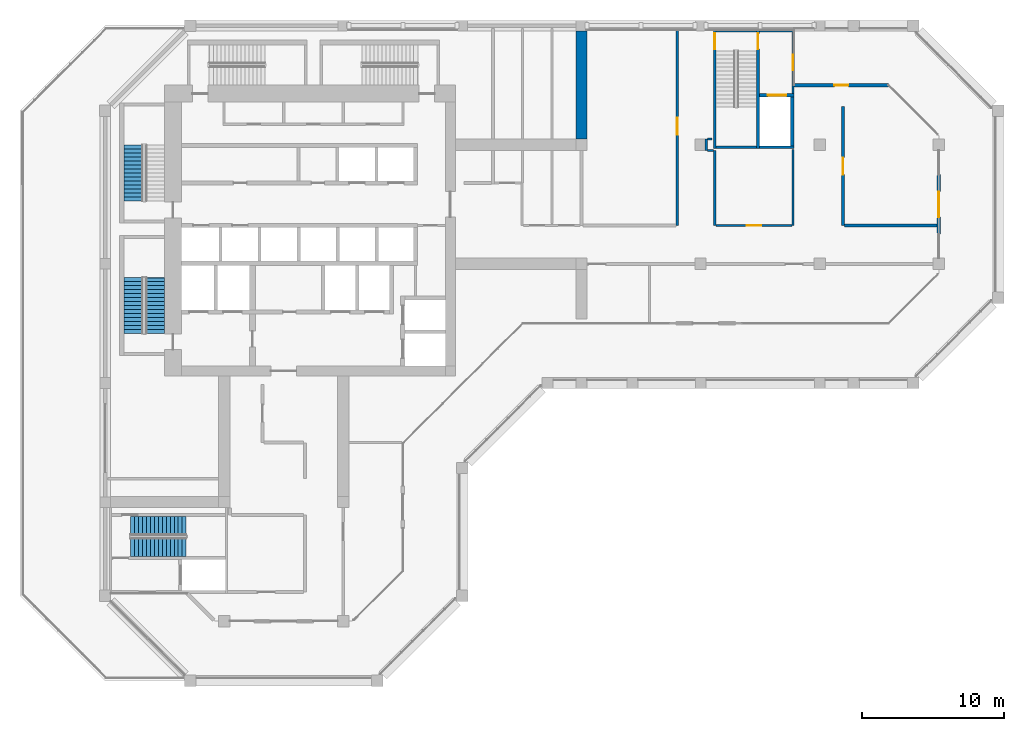
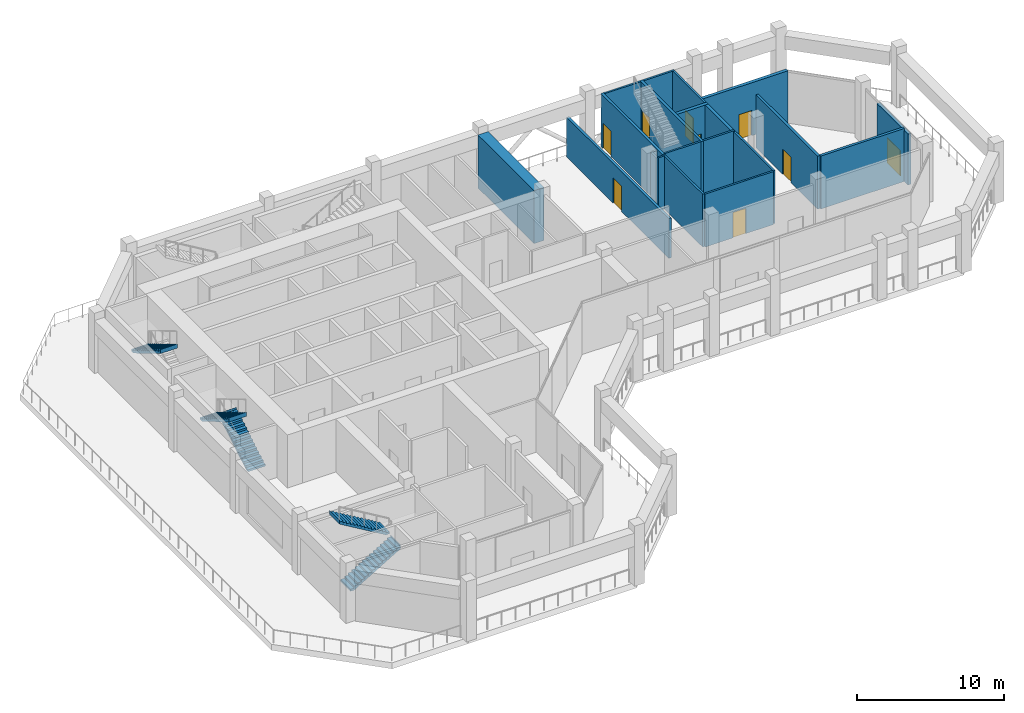
# One storey, part 9 of 16: 21 walls, 9 doors, 5 stair flights, 9 openings, 3 elements without a shape of their own.
"""IFC4 building model written with IfcOpenShell, lengths in metres."""

from ifc_helpers import new_model, si_unit, direction, frame, frame_2d, origin, place, context, subcontext, project, spatial, polyline, rectangle, outline, extrude, material, layer, layer_set, type_object, element, fill, aggregate, save


model = new_model("IFC4")

# Units and contexts
model_context = context("Model", 3, precision=1e-05, world=origin(), true_north=direction((0.0, 1.0)))
body_context = subcontext(model_context, "Body", "Model", "MODEL_VIEW")
ifc_project = project(units=[si_unit("LENGTHUNIT", "METRE"), si_unit("AREAUNIT", "SQUARE_METRE"), si_unit("VOLUMEUNIT", "CUBIC_METRE"), si_unit("PLANEANGLEUNIT", "RADIAN"), si_unit("MASSUNIT", "GRAM", prefix="KILO")], contexts=[model_context])

# Site, building, storey
site_placement = place(None, origin())
site = spatial("IfcSite", under=ifc_project, at=site_placement, CompositionType="ELEMENT")
building_placement = place(site_placement, origin())
building = spatial("IfcBuilding", under=site, at=building_placement, Name="Kawkab Arch Medical Tower", CompositionType="ELEMENT")
storey_placement = place(building_placement, frame((0.0, 0.0, 272.60009765625)))
storey = spatial("IfcBuildingStorey", under=building, at=storey_placement, Name="L63", CompositionType="ELEMENT", Elevation=272.60009765625)

# Wall
ifc_material_1 = material(Name="Concrete C40/50", Category="concrete")
ifc_layer_1 = layer(ifc_material_1, 0.800048828125)
ifc_layer_set_1 = layer_set([ifc_layer_1], Name="Concrete C40/50")
wall_type_1 = type_object("IfcWallType", Name="Belt wall 800 C40/50", PredefinedType="SHEAR", material=ifc_layer_set_1)
wall_1_placement = place(storey_placement, frame((33.60009765625, -0.375, 0.0), z_axis=(0.0, 0.0, 1.0), x_axis=(0.0, -1.0, 0.0)))
element("IfcWall", 1, at=wall_1_placement, inside=storey, type_object=wall_type_1, Name="Belt wall BW-L63-3", PredefinedType="SHEAR", context=body_context, shape_type="SweptSolid", body=[
    extrude(rectangle(XDim=7.625, YDim=0.800048828125, at=frame_2d((3.8125, 0.0))), origin(), (0.0, 0.0, 1.0), 4.39990234375),
])

# Wall, opening, door
ifc_material_2 = material(Name="Gypsum board on steel studs", Category="steel")
ifc_layer_2 = layer(ifc_material_2, 0.14990234375)
ifc_layer_set_2 = layer_set([ifc_layer_2], Name="Gypsum board on steel studs")
wall_type_2 = type_object("IfcWallType", Name="Core room partition 150", PredefinedType="PARTITIONING", material=ifc_layer_set_2)
wall_2_placement = place(storey_placement, frame((48.52490234375, -4.77490234375, 0.0), z_axis=(0.0, 0.0, 1.0), x_axis=(0.0, 1.0, 0.0)))
wall_2 = element("IfcWall", 2, at=wall_2_placement, inside=storey, type_object=wall_type_2, Name="L63 core room partition", PredefinedType="PARTITIONING", context=body_context, shape_type="SweptSolid", body=[
    extrude(rectangle(XDim=4.324951171875, YDim=0.14990234375, at=frame_2d((2.16259765625, 0.0))), origin(), (0.0, 0.0, 1.0), 4.39990234375),
])
opening_1_placement = place(wall_2_placement, frame((1.625, 0.0, 0.0)))
opening_1 = element("IfcOpeningElement", 3, at=opening_1_placement, cuts=wall_2, Name="Opening FD", PredefinedType="OPENING", context=body_context, shape_type="SweptSolid", body=[
    extrude(rectangle(XDim=1.10009765625, YDim=2.10009765625, at=frame_2d((0.550048828125, 1.050048828125))), frame((0.0, 0.0849609375, 0.0), z_axis=(0.0, -1.0, 0.0), x_axis=(1.0, 0.0, 0.0)), (0.0, 0.0, 1.0), 0.169921875),
])
ifc_material_3 = material(Name="Hollow metal fire door leaf")
door_type_1 = type_object("IfcDoorType", Name="Firefighting lobby door 1100", OperationType="SINGLE_SWING_LEFT", PredefinedType="DOOR", material=ifc_material_3)
door_1_placement = place(opening_1_placement, origin())
door_1 = element("IfcDoor", 4, at=door_1_placement, inside=storey, type_object=door_type_1, Name="L63 Service lift lobby door SV1", OperationType="SINGLE_SWING_LEFT", OverallHeight=2.10009765625, OverallWidth=1.10009765625, PredefinedType="DOOR", context=body_context, shape_type="SweptSolid", body=[
    extrude(rectangle(XDim=1.10009765625, YDim=2.10009765625, at=frame_2d((0.550048828125, 1.050048828125))), frame((0.0, 0.02490234375, 0.0), z_axis=(0.0, -1.0, 0.0), x_axis=(1.0, 0.0, 0.0)), (0.0, 0.0, 1.0), 0.050048828125),
])
fill(opening_1, door_1)

ifc_material_4 = material(Name="Concrete C60/75", Category="concrete")
ifc_layer_3 = layer(ifc_material_4, 0.25)
ifc_layer_set_3 = layer_set([ifc_layer_3], Name="Concrete C60/75")
wall_type_3 = type_object("IfcWallType", Name="Core shear wall 250 C60/75", PredefinedType="SHEAR", material=ifc_layer_set_3)
wall_3_placement = place(storey_placement, frame((46.14990234375, -4.89990234375, 0.0), z_axis=(0.0, 0.0, 1.0), x_axis=(1.0, 0.0, 0.0)))
wall_3 = element("IfcWall", 5, at=wall_3_placement, inside=storey, type_object=wall_type_3, Name="L63 core shear wall", PredefinedType="SHEAR", context=body_context, shape_type="SweptSolid", body=[
    extrude(rectangle(XDim=2.4501953125, YDim=0.25, at=frame_2d((1.22509765625, 0.0))), origin(), (0.0, 0.0, 1.0), 4.39990234375),
])
opening_2_placement = place(wall_3_placement, frame((0.60009765625, 0.0, 0.0)))
opening_2 = element("IfcOpeningElement", 6, at=opening_2_placement, cuts=wall_3, Name="Opening LD2", PredefinedType="OPENING", context=body_context, shape_type="SweptSolid", body=[
    extrude(rectangle(XDim=1.300048828125, YDim=2.10009765625, at=frame_2d((0.64990234375, 1.050048828125))), frame((0.0, 0.135009765625, 0.0), z_axis=(0.0, -1.0, 0.0), x_axis=(1.0, 0.0, 0.0)), (0.0, 0.0, 1.0), 0.27001953125),
])
ifc_material_5 = material(Name="Stainless steel lift door leaf", Category="steel")
door_type_2 = type_object("IfcDoorType", Name="Lift landing door 1300", OperationType="DOUBLE_DOOR_SLIDING", PredefinedType="DOOR", material=ifc_material_5)
door_2_placement = place(opening_2_placement, origin())
door_2 = element("IfcDoor", 7, at=door_2_placement, inside=storey, type_object=door_type_2, Name="L63 Lift landing door SV1", OperationType="DOUBLE_DOOR_SLIDING", OverallHeight=2.10009765625, OverallWidth=1.300048828125, PredefinedType="DOOR", context=body_context, shape_type="SweptSolid", body=[
    extrude(rectangle(XDim=1.300048828125, YDim=2.10009765625, at=frame_2d((0.64990234375, 1.050048828125))), frame((0.0, 0.02490234375, 0.0), z_axis=(0.0, -1.0, 0.0), x_axis=(1.0, 0.0, 0.0)), (0.0, 0.0, 1.0), 0.050048828125),
])
fill(opening_2, door_2)

# Wall
wall_4_placement = place(storey_placement, frame((48.47509765625, -8.5, 0.0), z_axis=(0.0, 0.0, 1.0), x_axis=(0.0, 1.0, 0.0)))
element("IfcWall", 8, at=wall_4_placement, inside=storey, type_object=wall_type_3, Name="L63 core shear wall", PredefinedType="SHEAR", context=body_context, shape_type="SweptSolid", body=[
    extrude(rectangle(XDim=3.47509765625, YDim=0.25, at=frame_2d((1.737548828125, 0.0))), origin(), (0.0, 0.0, 1.0), 4.39990234375),
])

# Wall, opening, door
ifc_material_6 = material(Name="Bronze clad insulated wall panel")
ifc_layer_4 = layer(ifc_material_6, 0.25)
ifc_layer_set_4 = layer_set([ifc_layer_4], Name="Bronze clad insulated wall panel")
wall_type_4 = type_object("IfcWallType", Name="External wall bay 250", PredefinedType="SOLIDWALL", material=ifc_layer_set_4)
wall_5_placement = place(storey_placement, frame((58.800048828125, -14.699951171875, 0.0), z_axis=(0.0, 0.0, 1.0), x_axis=(0.0, 1.0, 0.0)))
wall_5 = element("IfcWall", 9, at=wall_5_placement, inside=storey, type_object=wall_type_4, Name="External wall bay L63.R15.1.2", PredefinedType="SOLIDWALL", context=body_context, shape_type="SweptSolid", body=[
    extrude(rectangle(XDim=4.199951171875, YDim=0.25, at=frame_2d((2.10009765625, 0.0))), origin(), (0.0, 0.0, 1.0), 4.239990234375),
])
opening_3_placement = place(wall_5_placement, frame((1.199951171875, 0.0, 0.0)))
opening_3 = element("IfcOpeningElement", 10, at=opening_3_placement, cuts=wall_5, Name="Opening PL3-701", PredefinedType="OPENING", context=body_context, shape_type="SweptSolid", body=[
    extrude(rectangle(XDim=1.800048828125, YDim=2.10009765625, at=frame_2d((0.89990234375, 1.050048828125))), frame((0.0, 0.135009765625, 0.0), z_axis=(0.0, -1.0, 0.0), x_axis=(1.0, 0.0, 0.0)), (0.0, 0.0, 1.0), 0.27001953125),
])
ifc_material_7 = material(Name="Bronze anodised aluminium door with tinted glass", Category="aluminium")
door_type_3 = type_object("IfcDoorType", Name="Double external door 1800 x 2100", OperationType="DOUBLE_DOOR_SINGLE_SWING", PredefinedType="DOOR", material=ifc_material_7)
door_3_placement = place(opening_3_placement, origin())
door_3 = element("IfcDoor", 11, at=door_3_placement, inside=storey, type_object=door_type_3, Name="External door L63.R15.1.2", OperationType="DOUBLE_DOOR_SINGLE_SWING", OverallHeight=2.10009765625, OverallWidth=1.800048828125, PredefinedType="DOOR", context=body_context, shape_type="SweptSolid", body=[
    extrude(rectangle(XDim=1.800048828125, YDim=2.10009765625, at=frame_2d((0.89990234375, 1.050048828125))), frame((0.0, 0.02490234375, 0.0), z_axis=(0.0, -1.0, 0.0), x_axis=(1.0, 0.0, 0.0)), (0.0, 0.0, 1.0), 0.050048828125),
])
fill(opening_3, door_3)

wall_6_placement = place(storey_placement, frame((55.260009765625, -4.199951171875, 0.0), z_axis=(0.0, 0.0, 1.0), x_axis=(-1.0, 0.0, 0.0)))
wall_6 = element("IfcWall", 12, at=wall_6_placement, inside=storey, type_object=wall_type_4, Name="Plant wall L63.R17.1", PredefinedType="SOLIDWALL", context=body_context, shape_type="SweptSolid", body=[
    extrude(rectangle(XDim=6.658935546875, YDim=0.25, at=frame_2d((3.32958984375, 0.0))), origin(), (0.0, 0.0, 1.0), 4.39990234375),
])
opening_4_placement = place(wall_6_placement, frame((2.830078125, 0.0, 0.0)))
opening_4 = element("IfcOpeningElement", 13, at=opening_4_placement, cuts=wall_6, Name="Opening PL3-702", PredefinedType="OPENING", context=body_context, shape_type="SweptSolid", body=[
    extrude(rectangle(XDim=1.0, YDim=2.10009765625, at=frame_2d((0.5, 1.050048828125))), frame((0.0, 0.135009765625, 0.0), z_axis=(0.0, -1.0, 0.0), x_axis=(1.0, 0.0, 0.0)), (0.0, 0.0, 1.0), 0.27001953125),
])
ifc_material_8 = material(Name="Bronze anodised aluminium door with tinted glass", Category="aluminium")
door_type_4 = type_object("IfcDoorType", Name="Single external door 1000 x 2100", OperationType="SINGLE_SWING_LEFT", PredefinedType="DOOR", material=ifc_material_8)
door_4_placement = place(opening_4_placement, origin())
door_4 = element("IfcDoor", 14, at=door_4_placement, inside=storey, type_object=door_type_4, Name="Roof terrace door L63.R17.1", OperationType="SINGLE_SWING_LEFT", OverallHeight=2.10009765625, OverallWidth=1.0, PredefinedType="DOOR", context=body_context, shape_type="SweptSolid", body=[
    extrude(rectangle(XDim=1.0, YDim=2.10009765625, at=frame_2d((0.5, 1.050048828125))), frame((0.0, 0.02490234375, 0.0), z_axis=(0.0, -1.0, 0.0), x_axis=(1.0, 0.0, 0.0)), (0.0, 0.0, 1.0), 0.050048828125),
])
fill(opening_4, door_4)

ifc_material_9 = material(Name="Gypsum board partition on steel studs, mineral wool", Category="steel")
ifc_layer_5 = layer(ifc_material_9, 0.14990234375)
ifc_layer_set_5 = layer_set([ifc_layer_5], Name="Gypsum board partition on steel studs, mineral wool")
wall_type_5 = type_object("IfcWallType", Name="Partition 150", PredefinedType="PARTITIONING", material=ifc_layer_set_5)
wall_7_placement = place(storey_placement, frame((43.076904296875, -14.10009765625, 0.0), z_axis=(0.0, 0.0, 1.0), x_axis=(1.0, 0.0, 0.0)))
wall_7 = element("IfcWall", 15, at=wall_7_placement, inside=storey, type_object=wall_type_5, Name="Partition 150 w003", PredefinedType="PARTITIONING", context=body_context, shape_type="SweptSolid", body=[
    extrude(rectangle(XDim=5.37109375, YDim=0.14990234375, at=frame_2d((2.685546875, 0.0))), origin(), (0.0, 0.0, 1.0), 4.39990234375),
])
opening_5_placement = place(wall_7_placement, frame((2.18603515625, 0.0, 0.0)))
opening_5 = element("IfcOpeningElement", 16, at=opening_5_placement, cuts=wall_7, Name="Opening PL3-001", PredefinedType="OPENING", context=body_context, shape_type="SweptSolid", body=[
    extrude(rectangle(XDim=1.0, YDim=2.10009765625, at=frame_2d((0.5, 1.050048828125))), frame((0.0, 0.0849609375, 0.0), z_axis=(0.0, -1.0, 0.0), x_axis=(1.0, 0.0, 0.0)), (0.0, 0.0, 1.0), 0.169921875),
])
ifc_material_10 = material(Name="Hollow metal door leaf")
door_type_5 = type_object("IfcDoorType", Name="Single door 1000x2100 FD30S", OperationType="NOTDEFINED", PredefinedType="DOOR", material=ifc_material_10)
door_5_placement = place(opening_5_placement, origin())
door_5 = element("IfcDoor", 17, at=door_5_placement, inside=storey, type_object=door_type_5, Name="Door PL3-001", OperationType="SINGLE_SWING_RIGHT", OverallHeight=2.10009765625, OverallWidth=1.0, PredefinedType="DOOR", context=body_context, shape_type="SweptSolid", body=[
    extrude(rectangle(XDim=1.0, YDim=2.10009765625, at=frame_2d((0.5, 1.050048828125))), frame((0.0, 0.02490234375, 0.0), z_axis=(0.0, -1.0, 0.0), x_axis=(1.0, 0.0, 0.0)), (0.0, 0.0, 1.0), 0.050048828125),
])
fill(opening_5, door_5)

# Walls
wall_8_placement = place(storey_placement, frame((42.47802734375, -8.800048828125, 0.0), z_axis=(0.0, 0.0, 1.0), x_axis=(1.0, 0.0, 0.0)))
element("IfcWall", 18, at=wall_8_placement, inside=storey, type_object=wall_type_5, Name="Partition 150 w005", PredefinedType="PARTITIONING", context=body_context, shape_type="SweptSolid", body=[
    extrude(rectangle(XDim=0.447021484375, YDim=0.14990234375, at=frame_2d((0.2236328125, 0.0))), origin(), (0.0, 0.0, 1.0), 4.39990234375),
])
wall_9_placement = place(storey_placement, frame((42.47705078125, -8.0, 0.0), z_axis=(0.0, 0.0, 1.0), x_axis=(1.0, 0.0, 0.0)))
element("IfcWall", 19, at=wall_9_placement, inside=storey, type_object=wall_type_5, Name="Partition 150 w006", PredefinedType="PARTITIONING", context=body_context, shape_type="SweptSolid", body=[
    extrude(rectangle(XDim=0.343017578125, YDim=0.14990234375, at=frame_2d((0.17138671875, 0.0))), origin(), (0.0, 0.0, 1.0), 4.39990234375),
])
wall_10_placement = place(storey_placement, frame((42.39990234375, -8.797119140625, 0.0), z_axis=(0.0, 0.0, 1.0), x_axis=(0.0, 1.0, 0.0)))
element("IfcWall", 20, at=wall_10_placement, inside=storey, type_object=wall_type_5, Name="Partition 150 w013", PredefinedType="PARTITIONING", context=body_context, shape_type="SweptSolid", body=[
    extrude(rectangle(XDim=0.796142578125, YDim=0.14990234375, at=frame_2d((0.39794921875, 0.0))), origin(), (0.0, 0.0, 1.0), 4.39990234375),
])
wall_11_placement = place(storey_placement, frame((43.0, -14.096923828125, 0.0), z_axis=(0.0, 0.0, 1.0), x_axis=(0.0, 1.0, 0.0)))
element("IfcWall", 21, at=wall_11_placement, inside=storey, type_object=wall_type_5, Name="Partition 150 w014", PredefinedType="PARTITIONING", context=body_context, shape_type="SweptSolid", body=[
    extrude(rectangle(XDim=5.296875, YDim=0.14990234375, at=frame_2d((2.6484375, 0.0))), origin(), (0.0, 0.0, 1.0), 4.39990234375),
])
wall_12_placement = place(storey_placement, frame((48.52490234375, -14.097900390625, 0.0), z_axis=(0.0, 0.0, 1.0), x_axis=(0.0, 1.0, 0.0)))
element("IfcWall", 22, at=wall_12_placement, inside=storey, type_object=wall_type_5, Name="Partition 150 w015", PredefinedType="PARTITIONING", context=body_context, shape_type="SweptSolid", body=[
    extrude(rectangle(XDim=5.367919921875, YDim=0.14990234375, at=frame_2d((2.68408203125, 0.0))), origin(), (0.0, 0.0, 1.0), 4.39990234375),
])
ifc_material_11 = material(Name="Fire-rated gypsum board partition on steel studs", Category="steel")
ifc_layer_6 = layer(ifc_material_11, 0.199951171875)
ifc_layer_set_6 = layer_set([ifc_layer_6], Name="Fire-rated gypsum board partition on steel studs")
wall_type_6 = type_object("IfcWallType", Name="Protected partition 200", PredefinedType="PARTITIONING", material=ifc_layer_set_6)
wall_13_placement = place(storey_placement, frame((52.14501953125, -14.10009765625, 0.0), z_axis=(0.0, 0.0, 1.0), x_axis=(1.0, 0.0, 0.0)))
element("IfcWall", 23, at=wall_13_placement, inside=storey, type_object=wall_type_6, Name="Protected partition 200 w022", PredefinedType="PARTITIONING", context=body_context, shape_type="SweptSolid", body=[
    extrude(rectangle(XDim=6.574951171875, YDim=0.199951171875, at=frame_2d((3.28759765625, 0.0))), origin(), (0.0, 0.0, 1.0), 4.39990234375),
])

# Wall, opening, door
wall_14_placement = place(storey_placement, frame((40.35693359375, -14.097900390625, 0.0), z_axis=(0.0, 0.0, 1.0), x_axis=(0.0, 1.0, 0.0)))
wall_14 = element("IfcWall", 24, at=wall_14_placement, inside=storey, type_object=wall_type_6, Name="Protected partition 200 w032", PredefinedType="PARTITIONING", context=body_context, shape_type="SweptSolid", body=[
    extrude(rectangle(XDim=13.89794921875, YDim=0.199951171875, at=frame_2d((6.948974609375, 0.0))), origin(), (0.0, 0.0, 1.0), 3.2998046875),
])
opening_6_placement = place(wall_14_placement, frame((6.39794921875, 0.0, 0.0)))
opening_6 = element("IfcOpeningElement", 25, at=opening_6_placement, cuts=wall_14, Name="Opening PL3-005", PredefinedType="OPENING", context=body_context, shape_type="SweptSolid", body=[
    extrude(rectangle(XDim=1.199951171875, YDim=2.10009765625, at=frame_2d((0.60009765625, 1.050048828125))), frame((0.0, 0.10986328125, 0.0), z_axis=(0.0, -1.0, 0.0), x_axis=(1.0, 0.0, 0.0)), (0.0, 0.0, 1.0), 0.219970703125),
])
ifc_material_12 = material(Name="Hollow metal door leaf")
door_type_6 = type_object("IfcDoorType", Name="Single door 1200x2100 FD60", OperationType="NOTDEFINED", PredefinedType="DOOR", material=ifc_material_12)
door_6_placement = place(opening_6_placement, origin())
door_6 = element("IfcDoor", 26, at=door_6_placement, inside=storey, type_object=door_type_6, Name="Door PL3-005", OperationType="SINGLE_SWING_LEFT", OverallHeight=2.10009765625, OverallWidth=1.199951171875, PredefinedType="DOOR", context=body_context, shape_type="SweptSolid", body=[
    extrude(rectangle(XDim=1.199951171875, YDim=2.10009765625, at=frame_2d((0.60009765625, 1.050048828125))), frame((0.0, 0.02490234375, 0.0), z_axis=(0.0, -1.0, 0.0), x_axis=(1.0, 0.0, 0.0)), (0.0, 0.0, 1.0), 0.050048828125),
])
fill(opening_6, door_6)

wall_15_placement = place(storey_placement, frame((52.04296875, -14.09912109375, 0.0), z_axis=(0.0, 0.0, 1.0), x_axis=(0.0, 1.0, 0.0)))
wall_15 = element("IfcWall", 27, at=wall_15_placement, inside=storey, type_object=wall_type_6, Name="Protected partition 200 w033", PredefinedType="PARTITIONING", context=body_context, shape_type="SweptSolid", body=[
    extrude(rectangle(XDim=8.397216796875, YDim=0.199951171875, at=frame_2d((4.19873046875, 0.0))), origin(), (0.0, 0.0, 1.0), 4.39990234375),
])
opening_7_placement = place(wall_15_placement, frame((3.597900390625, 0.0, 0.0)))
opening_7 = element("IfcOpeningElement", 28, at=opening_7_placement, cuts=wall_15, Name="Opening PL3-006", PredefinedType="OPENING", context=body_context, shape_type="SweptSolid", body=[
    extrude(rectangle(XDim=1.199951171875, YDim=2.10009765625, at=frame_2d((0.60009765625, 1.050048828125))), frame((0.0, 0.10986328125, 0.0), z_axis=(0.0, -1.0, 0.0), x_axis=(1.0, 0.0, 0.0)), (0.0, 0.0, 1.0), 0.219970703125),
])
door_7_placement = place(opening_7_placement, origin())
door_7 = element("IfcDoor", 29, at=door_7_placement, inside=storey, type_object=door_type_6, Name="Door PL3-006", OperationType="SINGLE_SWING_LEFT", OverallHeight=2.10009765625, OverallWidth=1.199951171875, PredefinedType="DOOR", context=body_context, shape_type="SweptSolid", body=[
    extrude(rectangle(XDim=1.199951171875, YDim=2.10009765625, at=frame_2d((0.60009765625, 1.050048828125))), frame((0.0, 0.02490234375, 0.0), z_axis=(0.0, -1.0, 0.0), x_axis=(1.0, 0.0, 0.0)), (0.0, 0.0, 1.0), 0.050048828125),
])
fill(opening_7, door_7)

# Walls
ifc_material_13 = material(Name="Concrete C50/60", Category="concrete")
ifc_layer_7 = layer(ifc_material_13, 0.14990234375)
ifc_layer_set_7 = layer_set([ifc_layer_7], Name="Concrete C50/60")
wall_type_7 = type_object("IfcWallType", Name="Stair enclosure wall 150 C50/60", PredefinedType="SHEAR", material=ifc_layer_set_7)
wall_16_placement = place(storey_placement, frame((43.10009765625, -0.375, 0.0), z_axis=(0.0, 0.0, 1.0), x_axis=(1.0, 0.0, 0.0)))
element("IfcWall", 30, at=wall_16_placement, inside=storey, type_object=wall_type_7, Name="L63 stair enclosure wall", PredefinedType="SHEAR", context=body_context, shape_type="SweptSolid", body=[
    extrude(rectangle(XDim=2.849853515625, YDim=0.14990234375, at=frame_2d((1.4248046875, 0.0))), origin(), (0.0, 0.0, 1.0), 4.39990234375),
])
wall_17_placement = place(storey_placement, frame((46.14990234375, -0.375, 0.0), z_axis=(0.0, 0.0, 1.0), x_axis=(1.0, 0.0, 0.0)))
element("IfcWall", 31, at=wall_17_placement, inside=storey, type_object=wall_type_7, Name="L63 stair enclosure wall", PredefinedType="SHEAR", context=body_context, shape_type="SweptSolid", body=[
    extrude(rectangle(XDim=2.4501953125, YDim=0.14990234375, at=frame_2d((1.22509765625, 0.0))), origin(), (0.0, 0.0, 1.0), 4.39990234375),
])
wall_18_placement = place(storey_placement, frame((43.10009765625, -8.574951171875, 0.0), z_axis=(0.0, 0.0, 1.0), x_axis=(1.0, 0.0, 0.0)))
element("IfcWall", 32, at=wall_18_placement, inside=storey, type_object=wall_type_7, Name="L63 stair enclosure wall", PredefinedType="SHEAR", context=body_context, shape_type="SweptSolid", body=[
    extrude(rectangle(XDim=2.849853515625, YDim=0.14990234375, at=frame_2d((1.4248046875, 0.0))), origin(), (0.0, 0.0, 1.0), 4.39990234375),
])
wall_19_placement = place(storey_placement, frame((46.14990234375, -8.574951171875, 0.0), z_axis=(0.0, 0.0, 1.0), x_axis=(1.0, 0.0, 0.0)))
element("IfcWall", 33, at=wall_19_placement, inside=storey, type_object=wall_type_7, Name="L63 stair enclosure wall", PredefinedType="SHEAR", context=body_context, shape_type="SweptSolid", body=[
    extrude(rectangle(XDim=2.4501953125, YDim=0.14990234375, at=frame_2d((1.22509765625, 0.0))), origin(), (0.0, 0.0, 1.0), 4.39990234375),
])

# Wall, opening, door
ifc_material_14 = material(Name="Concrete C50/60", Category="concrete")
ifc_layer_8 = layer(ifc_material_14, 0.199951171875)
ifc_layer_set_8 = layer_set([ifc_layer_8], Name="Concrete C50/60")
wall_type_8 = type_object("IfcWallType", Name="Stair enclosure wall 200 C50/60", PredefinedType="SHEAR", material=ifc_layer_set_8)
wall_20_placement = place(storey_placement, frame((43.0, -8.64990234375, 0.0), z_axis=(0.0, 0.0, 1.0), x_axis=(0.0, 1.0, 0.0)))
wall_20 = element("IfcWall", 34, at=wall_20_placement, inside=storey, type_object=wall_type_8, Name="L63 stair enclosure wall", PredefinedType="SHEAR", context=body_context, shape_type="SweptSolid", body=[
    extrude(rectangle(XDim=8.349853515625, YDim=0.199951171875, at=frame_2d((4.1748046875, 0.0))), origin(), (0.0, 0.0, 1.0), 4.39990234375),
])
opening_8_placement = place(wall_20_placement, frame((7.0, 0.0, 0.0)))
opening_8 = element("IfcOpeningElement", 35, at=opening_8_placement, cuts=wall_20, Name="Opening SD", PredefinedType="OPENING", context=body_context, shape_type="SweptSolid", body=[
    extrude(rectangle(XDim=1.10009765625, YDim=2.10009765625, at=frame_2d((0.550048828125, 1.050048828125))), frame((0.0, 0.10986328125, 0.0), z_axis=(0.0, -1.0, 0.0), x_axis=(1.0, 0.0, 0.0)), (0.0, 0.0, 1.0), 0.219970703125),
])
ifc_material_15 = material(Name="Hollow metal fire door leaf")
door_type_7 = type_object("IfcDoorType", Name="Exit stair door 1100", OperationType="SINGLE_SWING_LEFT", PredefinedType="DOOR", material=ifc_material_15)
door_8_placement = place(opening_8_placement, frame((1.10009765625, 0.0, 0.0), z_axis=(0.0, 0.0, 1.0), x_axis=(-1.0, 0.0, 0.0)))
door_8 = element("IfcDoor", 36, at=door_8_placement, inside=storey, type_object=door_type_7, Name="L63 Exit stair ST5 door", OperationType="SINGLE_SWING_LEFT", OverallHeight=2.10009765625, OverallWidth=1.10009765625, PredefinedType="DOOR", context=body_context, shape_type="SweptSolid", body=[
    extrude(rectangle(XDim=1.10009765625, YDim=2.10009765625, at=frame_2d((0.550048828125, 1.050048828125))), frame((0.0, 0.02490234375, 0.0), z_axis=(0.0, -1.0, 0.0), x_axis=(1.0, 0.0, 0.0)), (0.0, 0.0, 1.0), 0.050048828125),
])
fill(opening_8, door_8)

wall_21_placement = place(storey_placement, frame((46.050048828125, -8.64990234375, 0.0), z_axis=(0.0, 0.0, 1.0), x_axis=(0.0, 1.0, 0.0)))
wall_21 = element("IfcWall", 37, at=wall_21_placement, inside=storey, type_object=wall_type_8, Name="L63 stair enclosure wall", PredefinedType="SHEAR", context=body_context, shape_type="SweptSolid", body=[
    extrude(rectangle(XDim=8.349853515625, YDim=0.199951171875, at=frame_2d((4.1748046875, 0.0))), origin(), (0.0, 0.0, 1.0), 4.39990234375),
])
opening_9_placement = place(wall_21_placement, frame((7.0, 0.0, 0.0)))
opening_9 = element("IfcOpeningElement", 38, at=opening_9_placement, cuts=wall_21, Name="Opening SD", PredefinedType="OPENING", context=body_context, shape_type="SweptSolid", body=[
    extrude(rectangle(XDim=1.10009765625, YDim=2.10009765625, at=frame_2d((0.550048828125, 1.050048828125))), frame((0.0, 0.10986328125, 0.0), z_axis=(0.0, -1.0, 0.0), x_axis=(1.0, 0.0, 0.0)), (0.0, 0.0, 1.0), 0.219970703125),
])
door_9_placement = place(opening_9_placement, origin())
door_9 = element("IfcDoor", 39, at=door_9_placement, inside=storey, type_object=door_type_7, Name="L63 Exit stair ST5 lobby door", OperationType="SINGLE_SWING_LEFT", OverallHeight=2.10009765625, OverallWidth=1.10009765625, PredefinedType="DOOR", context=body_context, shape_type="SweptSolid", body=[
    extrude(rectangle(XDim=1.10009765625, YDim=2.10009765625, at=frame_2d((0.550048828125, 1.050048828125))), frame((0.0, 0.02490234375, 0.0), z_axis=(0.0, -1.0, 0.0), x_axis=(1.0, 0.0, 0.0)), (0.0, 0.0, 1.0), 0.050048828125),
])
fill(opening_9, door_9)

# Stair, stair flight
ifc_material_16 = material(Name="Concrete C40/50", Category="concrete")
stair_type = type_object("IfcStairType", Name="Exit stair 1350", PredefinedType="HALF_TURN_STAIR", material=ifc_material_16)
placement = place(storey_placement, origin())
stair_1 = element("IfcStair", 40, at=placement, inside=storey, type_object=stair_type, Name="L63 Exit stair ST1", PredefinedType="HALF_TURN_STAIR")
ifc_material_17 = material(Name="Concrete C40/50", Category="concrete")
stair_flight_type = type_object("IfcStairFlightType", Name="Exit stair flight 1350", PredefinedType="STRAIGHT", material=ifc_material_17)
stair_flight_1_placement = place(storey_placement, frame((2.02490234375, -8.429931640625, 2.5), z_axis=(0.0, 0.0, 1.0), x_axis=(0.0, -1.0, 0.0)))
stair_flight_1 = element("IfcStairFlight", 41, at=stair_flight_1_placement, type_object=stair_flight_type, Name="ST1 flight 2", NumberOfRisers=15, NumberOfTreads=14, PredefinedType="STRAIGHT", RiserHeight=0.166666667, TreadLength=0.28, context=body_context, shape_type="SweptSolid", body=[
    extrude(outline(polyline([(-0.0029296875, 0.0), (-0.0029296875, 0.166748046875), (0.0, 0.166748046875), (0.280029296875, 0.166748046875), (0.280029296875, 0.333251953125), (0.56005859375, 0.333251953125), (0.56005859375, 0.5), (0.840087890625, 0.5), (0.840087890625, 0.666748046875), (1.1201171875, 0.666748046875), (1.1201171875, 0.833251953125), (1.39990234375, 0.833251953125), (1.39990234375, 1.0), (1.679931640625, 1.0), (1.679931640625, 1.166748046875), (1.9599609375, 1.166748046875), (1.9599609375, 1.333251953125), (2.239990234375, 1.333251953125), (2.239990234375, 1.5), (2.52001953125, 1.5), (2.52001953125, 1.666748046875), (2.800048828125, 1.666748046875), (2.800048828125, 1.833251953125), (3.080078125, 1.833251953125), (3.080078125, 2.0), (3.360107421875, 2.0), (3.360107421875, 2.166748046875), (3.639892578125, 2.166748046875), (3.639892578125, 2.333251953125), (3.919921875, 2.333251953125), (3.919921875, 2.5), (3.923095703125, 2.5), (3.923095703125, 2.158935546875), (3.919921875, 2.158935546875), (0.29296875, 0.0), (-0.0029296875, 0.0)])), frame((0.0, 0.675048828125, 0.0), z_axis=(0.0, -1.0, 0.0), x_axis=(1.0, 0.0, 0.0)), (0.0, 0.0, 1.0), 1.35009765625),
])
aggregate(stair_1, [stair_flight_1])

# Stair, stair flights
stair_2 = element("IfcStair", 42, at=placement, inside=storey, type_object=stair_type, Name="L63 Exit stair ST2", PredefinedType="HALF_TURN_STAIR")
stair_flight_2_placement = place(storey_placement, frame((3.52490234375, -21.699951171875, 0.0), z_axis=(0.0, 0.0, 1.0), x_axis=(0.0, 1.0, 0.0)))
stair_flight_2 = element("IfcStairFlight", 43, at=stair_flight_2_placement, type_object=stair_flight_type, Name="ST2 flight 1", NumberOfRisers=15, NumberOfTreads=14, PredefinedType="STRAIGHT", RiserHeight=0.166666667, TreadLength=0.28, context=body_context, shape_type="SweptSolid", body=[
    extrude(outline(polyline([(-0.0029296875, 0.0), (-0.0029296875, 0.166748046875), (0.0, 0.166748046875), (0.280029296875, 0.166748046875), (0.280029296875, 0.333251953125), (0.56005859375, 0.333251953125), (0.56005859375, 0.5), (0.840087890625, 0.5), (0.840087890625, 0.666748046875), (1.1201171875, 0.666748046875), (1.1201171875, 0.833251953125), (1.39990234375, 0.833251953125), (1.39990234375, 1.0), (1.679931640625, 1.0), (1.679931640625, 1.166748046875), (1.9599609375, 1.166748046875), (1.9599609375, 1.333251953125), (2.239990234375, 1.333251953125), (2.239990234375, 1.5), (2.52001953125, 1.5), (2.52001953125, 1.666748046875), (2.800048828125, 1.666748046875), (2.800048828125, 1.833251953125), (3.080078125, 1.833251953125), (3.080078125, 2.0), (3.360107421875, 2.0), (3.360107421875, 2.166748046875), (3.639892578125, 2.166748046875), (3.639892578125, 2.333251953125), (3.919921875, 2.333251953125), (3.919921875, 2.5), (3.923095703125, 2.5), (3.923095703125, 2.158935546875), (3.919921875, 2.158935546875), (0.29296875, 0.0), (-0.0029296875, 0.0)])), frame((0.0, 0.675048828125, 0.0), z_axis=(0.0, -1.0, 0.0), x_axis=(1.0, 0.0, 0.0)), (0.0, 0.0, 1.0), 1.35009765625),
])
stair_flight_3_placement = place(storey_placement, frame((2.02490234375, -17.780029296875, 2.5), z_axis=(0.0, 0.0, 1.0), x_axis=(0.0, -1.0, 0.0)))
stair_flight_3 = element("IfcStairFlight", 44, at=stair_flight_3_placement, type_object=stair_flight_type, Name="ST2 flight 2", NumberOfRisers=15, NumberOfTreads=14, PredefinedType="STRAIGHT", RiserHeight=0.166666667, TreadLength=0.28, context=body_context, shape_type="SweptSolid", body=[
    extrude(outline(polyline([(-0.0029296875, 0.0), (-0.0029296875, 0.166748046875), (0.0, 0.166748046875), (0.280029296875, 0.166748046875), (0.280029296875, 0.333251953125), (0.56005859375, 0.333251953125), (0.56005859375, 0.5), (0.840087890625, 0.5), (0.840087890625, 0.666748046875), (1.1201171875, 0.666748046875), (1.1201171875, 0.833251953125), (1.39990234375, 0.833251953125), (1.39990234375, 1.0), (1.679931640625, 1.0), (1.679931640625, 1.166748046875), (1.9599609375, 1.166748046875), (1.9599609375, 1.333251953125), (2.239990234375, 1.333251953125), (2.239990234375, 1.5), (2.52001953125, 1.5), (2.52001953125, 1.666748046875), (2.800048828125, 1.666748046875), (2.800048828125, 1.833251953125), (3.080078125, 1.833251953125), (3.080078125, 2.0), (3.360107421875, 2.0), (3.360107421875, 2.166748046875), (3.639892578125, 2.166748046875), (3.639892578125, 2.333251953125), (3.919921875, 2.333251953125), (3.919921875, 2.5), (3.923095703125, 2.5), (3.923095703125, 2.158935546875), (3.919921875, 2.158935546875), (0.29296875, 0.0), (-0.0029296875, 0.0)])), frame((0.0, 0.675048828125, 0.0), z_axis=(0.0, -1.0, 0.0), x_axis=(1.0, 0.0, 0.0)), (0.0, 0.0, 1.0), 1.35009765625),
])
aggregate(stair_2, [stair_flight_2, stair_flight_3])

stair_3 = element("IfcStair", 45, at=placement, inside=storey, type_object=stair_type, Name="L63 Exit stair ST6", PredefinedType="HALF_TURN_STAIR")
stair_flight_4_placement = place(storey_placement, frame((1.800048828125, -36.77490234375, 0.0), z_axis=(0.0, 0.0, 1.0), x_axis=(1.0, 0.0, 0.0)))
stair_flight_4 = element("IfcStairFlight", 46, at=stair_flight_4_placement, type_object=stair_flight_type, Name="ST6 flight 1", NumberOfRisers=15, NumberOfTreads=14, PredefinedType="STRAIGHT", RiserHeight=0.166666667, TreadLength=0.28, context=body_context, shape_type="SweptSolid", body=[
    extrude(outline(polyline([(-0.0029296875, 0.0), (-0.0029296875, 0.166748046875), (0.0, 0.166748046875), (0.280029296875, 0.166748046875), (0.280029296875, 0.333251953125), (0.56005859375, 0.333251953125), (0.56005859375, 0.5), (0.840087890625, 0.5), (0.840087890625, 0.666748046875), (1.1201171875, 0.666748046875), (1.1201171875, 0.833251953125), (1.39990234375, 0.833251953125), (1.39990234375, 1.0), (1.679931640625, 1.0), (1.679931640625, 1.166748046875), (1.9599609375, 1.166748046875), (1.9599609375, 1.333251953125), (2.239990234375, 1.333251953125), (2.239990234375, 1.5), (2.52001953125, 1.5), (2.52001953125, 1.666748046875), (2.800048828125, 1.666748046875), (2.800048828125, 1.833251953125), (3.080078125, 1.833251953125), (3.080078125, 2.0), (3.360107421875, 2.0), (3.360107421875, 2.166748046875), (3.639892578125, 2.166748046875), (3.639892578125, 2.333251953125), (3.919921875, 2.333251953125), (3.919921875, 2.5), (3.923095703125, 2.5), (3.923095703125, 2.158935546875), (3.919921875, 2.158935546875), (0.29296875, 0.0), (-0.0029296875, 0.0)])), frame((0.0, 0.675048828125, 0.0), z_axis=(0.0, -1.0, 0.0), x_axis=(1.0, 0.0, 0.0)), (0.0, 0.0, 1.0), 1.35009765625),
])
stair_flight_5_placement = place(storey_placement, frame((5.719970703125, -35.27490234375, 2.5), z_axis=(0.0, 0.0, 1.0), x_axis=(-1.0, 0.0, 0.0)))
stair_flight_5 = element("IfcStairFlight", 47, at=stair_flight_5_placement, type_object=stair_flight_type, Name="ST6 flight 2", NumberOfRisers=15, NumberOfTreads=14, PredefinedType="STRAIGHT", RiserHeight=0.166666667, TreadLength=0.28, context=body_context, shape_type="SweptSolid", body=[
    extrude(outline(polyline([(-0.0029296875, 0.0), (-0.0029296875, 0.166748046875), (0.0, 0.166748046875), (0.280029296875, 0.166748046875), (0.280029296875, 0.333251953125), (0.56005859375, 0.333251953125), (0.56005859375, 0.5), (0.840087890625, 0.5), (0.840087890625, 0.666748046875), (1.1201171875, 0.666748046875), (1.1201171875, 0.833251953125), (1.39990234375, 0.833251953125), (1.39990234375, 1.0), (1.679931640625, 1.0), (1.679931640625, 1.166748046875), (1.9599609375, 1.166748046875), (1.9599609375, 1.333251953125), (2.239990234375, 1.333251953125), (2.239990234375, 1.5), (2.52001953125, 1.5), (2.52001953125, 1.666748046875), (2.800048828125, 1.666748046875), (2.800048828125, 1.833251953125), (3.080078125, 1.833251953125), (3.080078125, 2.0), (3.360107421875, 2.0), (3.360107421875, 2.166748046875), (3.639892578125, 2.166748046875), (3.639892578125, 2.333251953125), (3.919921875, 2.333251953125), (3.919921875, 2.5), (3.923095703125, 2.5), (3.923095703125, 2.158935546875), (3.919921875, 2.158935546875), (0.29296875, 0.0), (-0.0029296875, 0.0)])), frame((0.0, 0.675048828125, 0.0), z_axis=(0.0, -1.0, 0.0), x_axis=(1.0, 0.0, 0.0)), (0.0, 0.0, 1.0), 1.35009765625),
])
aggregate(stair_3, [stair_flight_4, stair_flight_5])

save(model, "model.ifc")
